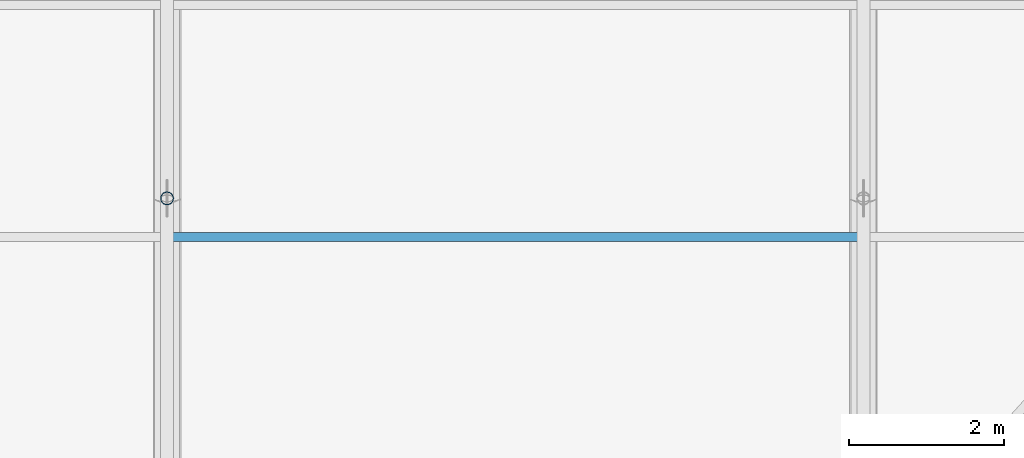
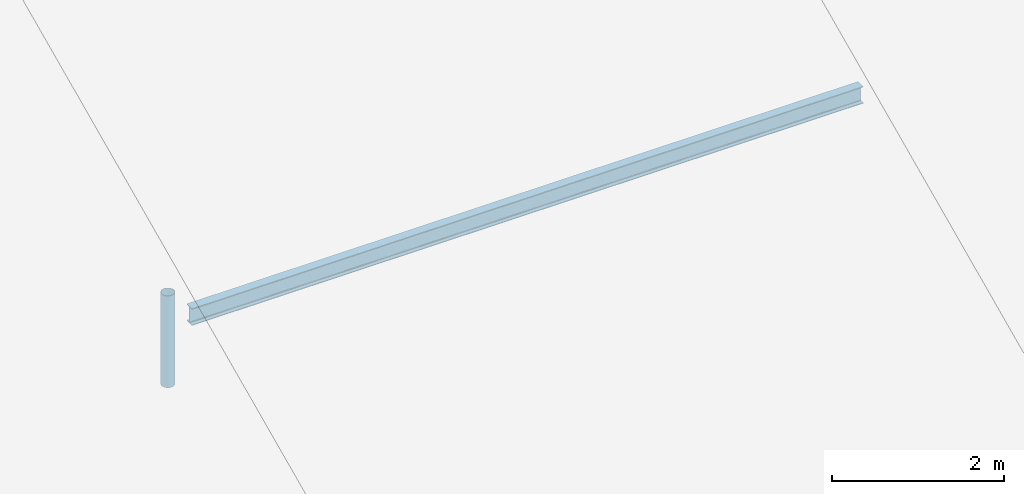
# One storey, part 12 of 107: 2 members.
"""IFC4 building model written with IfcOpenShell, lengths in metres."""

from ifc_helpers import new_model, si_unit, derived_unit, direction, frame, origin, origin_2d, place, context, subcontext, project, spatial, hollow_circle, i_section, extrude, material, material_profile, profile_set, type_object, element, save


model = new_model("IFC4")

# Units and contexts
model_context = context("Model", 3, precision=1e-05, world=origin(), true_north=direction((0.0, 1.0)))
body_context = subcontext(model_context, "Body", "Model", "MODEL_VIEW")
ifc_project = project(units=[si_unit("LENGTHUNIT", "METRE"), si_unit("AREAUNIT", "SQUARE_METRE"), si_unit("VOLUMEUNIT", "CUBIC_METRE"), si_unit("PLANEANGLEUNIT", "RADIAN"), si_unit("MASSUNIT", "GRAM", prefix="KILO"), si_unit("THERMODYNAMICTEMPERATUREUNIT", "KELVIN"), si_unit("TIMEUNIT", "SECOND"), derived_unit("THERMALTRANSMITTANCEUNIT", [(si_unit("MASSUNIT", "GRAM", prefix="KILO"), 1), (si_unit("THERMODYNAMICTEMPERATUREUNIT", "KELVIN"), -1), (si_unit("TIMEUNIT", "SECOND"), -3)])], contexts=[model_context])

# Site, building, storey
site_placement = place(None, origin())
site = spatial("IfcSite", under=ifc_project, at=site_placement, CompositionType="ELEMENT")
building_placement = place(site_placement, origin())
building = spatial("IfcBuilding", under=site, at=building_placement, Name="Cambertide Market Hall", CompositionType="ELEMENT")
storey_placement = place(building_placement, frame((0.0, 0.0, 18.300048828125)))
storey = spatial("IfcBuildingStorey", under=building, at=storey_placement, Name="RF", CompositionType="ELEMENT", Elevation=18.300048828125)

# Members
ifc_material_1 = material(Name="Steel S275", Category="steel")
ifc_material_profile_1 = material_profile(ifc_material_1, i_section(OverallWidth=0.1201171875, OverallDepth=0.239990234375, WebThickness=0.006103515625, FlangeThickness=0.009765625, FilletRadius=0.014892578125, at=origin_2d()), Name="IPE 240")
ifc_profile_set_1 = profile_set([ifc_material_profile_1], Name="Steel S275")
member_type_1 = type_object("IfcMemberType", Name="Roof Purlin IPE 240", PredefinedType="PURLIN", material=ifc_profile_set_1)
member_1_placement = place(storey_placement, frame((60.0, 61.5, -4.969970703125), z_axis=(1.0, 0.0, 0.0), x_axis=(0.0, 1.0, 0.0)))
element("IfcMember", 1, at=member_1_placement, inside=storey, type_object=member_type_1, Name="Barrel Roof Purlin 3-05", PredefinedType="PURLIN", context=body_context, shape_type="SweptSolid", body=[
    extrude(i_section(OverallWidth=0.1201171875, OverallDepth=0.239990234375, WebThickness=0.006103515625, FlangeThickness=0.009765625, FilletRadius=0.014892578125, at=origin_2d()), origin(), (0.0, 0.0, 1.0), 9.0),
])
ifc_material_2 = material(Name="Steel S355", Category="steel")
ifc_material_profile_2 = material_profile(ifc_material_2, hollow_circle(Radius=0.084228515625, WallThickness=0.00634765625, at=origin_2d()), Name="CHS 168.3x6.3")
ifc_profile_set_2 = profile_set([ifc_material_profile_2], Name="Steel S355")
member_type_2 = type_object("IfcMemberType", Name="Structural Brace CHS 168.3x6.3", PredefinedType="BRACE", material=ifc_profile_set_2)
member_2_placement = place(storey_placement, frame((60.0, 62.0, -6.251220703125), z_axis=(0.0, 0.0, 1.0), x_axis=(1.0, 0.0, 0.0)))
element("IfcMember", 2, at=member_2_placement, inside=storey, type_object=member_type_2, Name="Roof Truss 3 Web Post 3", PredefinedType="BRACE", context=body_context, shape_type="SweptSolid", body=[
    extrude(hollow_circle(Radius=0.084228515625, WallThickness=0.00634765625, at=origin_2d()), origin(), (0.0, 0.0, 1.0), 1.30126953125),
])

save(model, "model.ifc")
